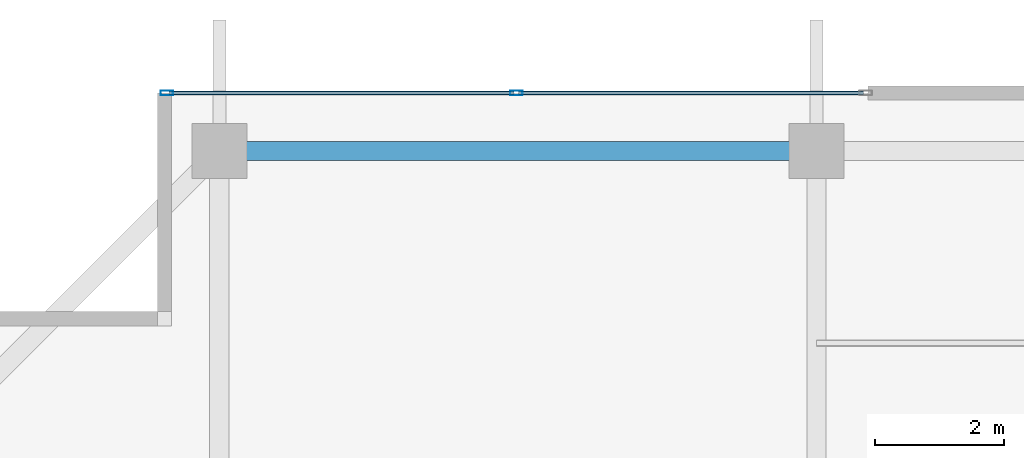
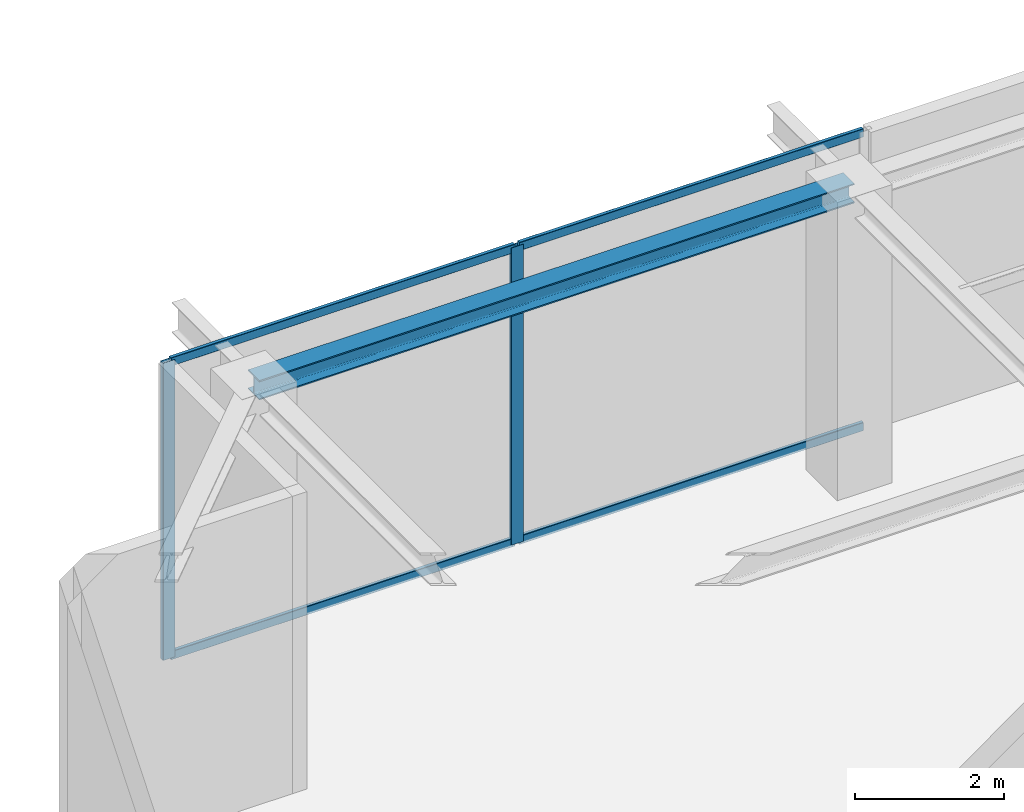
# One storey, part 19 of 27: 6 members, 1 beam, 1 element without a shape of its own.
"""IFC4 building model written with IfcOpenShell, lengths in metres."""

from ifc_helpers import new_model, si_unit, direction, frame, origin, origin_2d, place, context, subcontext, project, spatial, hollow_rectangle, i_section, extrude, source, transform, mapped, material, layer, layer_set, material_profile, profile_set, type_object, element, aggregate, save


model = new_model("IFC4")

# Units and contexts
model_context = context("Model", 3, precision=1e-05, world=origin(), true_north=direction((0.0, 1.0)))
body_context = subcontext(model_context, "Body", "Model", "MODEL_VIEW")
ifc_project = project(units=[si_unit("LENGTHUNIT", "METRE"), si_unit("AREAUNIT", "SQUARE_METRE"), si_unit("VOLUMEUNIT", "CUBIC_METRE"), si_unit("PLANEANGLEUNIT", "RADIAN"), si_unit("MASSUNIT", "GRAM", prefix="KILO")], contexts=[model_context])

# Site, building, storey
site_placement = place(None, origin())
site = spatial("IfcSite", under=ifc_project, at=site_placement, CompositionType="ELEMENT")
building_placement = place(site_placement, origin())
building = spatial("IfcBuilding", under=site, at=building_placement, Name="Serunith Strait Residences", CompositionType="ELEMENT")
storey_placement = place(building_placement, frame((0.0, 0.0, 365.75)))
storey = spatial("IfcBuildingStorey", under=building, at=storey_placement, Name="L89", CompositionType="ELEMENT", Elevation=365.75)

# Beam
ifc_material_1 = material(Name="Steel S355J2", Category="steel")
ifc_material_profile_1 = material_profile(ifc_material_1, i_section(OverallWidth=0.300048828125, OverallDepth=0.320068359375, WebThickness=0.011474609375, FlangeThickness=0.0205078125, FilletRadius=0.027099609375, at=origin_2d()), Name="HEB 320")
ifc_profile_set_1 = profile_set([ifc_material_profile_1], Name="Steel S355J2")
beam_type = type_object("IfcBeamType", Name="BM-HEB320", PredefinedType="BEAM", material=ifc_profile_set_1)
shared_shape_1 = source(origin(), body_context, "Body", "SweptSolid", [
    extrude(i_section(OverallWidth=0.300048828125, OverallDepth=0.320068359375, WebThickness=0.011474609375, FlangeThickness=0.0205078125, FilletRadius=0.027099609375, at=origin_2d()), origin(), (0.0, 0.0, 1.0), 9.25),
])
beam_placement = place(storey_placement, frame((27.89990234375, 45.5, 4.737060546875), z_axis=(-1.0, 0.0, 0.0), x_axis=(0.0, -1.0, 0.0)))
element("IfcBeam", 1, at=beam_placement, inside=storey, type_object=beam_type, Name="L89 Perimeter Ring Beam 11", PredefinedType="BEAM", context=body_context, shape_type="MappedRepresentation", body=[
    mapped(shared_shape_1, transform((0.0, 0.0, 0.0), scale=1.0)),
])

# Curtain wall, members
ifc_material_2 = material(Name="Pale-Silver Anodised Aluminium", Category="aluminium")
ifc_layer = layer(ifc_material_2, 0.199951171875, Name="Pale-Silver Anodised Aluminium")
ifc_layer_set = layer_set([ifc_layer], Name="Pale-Silver Anodised Aluminium")
curtain_wall_type = type_object("IfcCurtainWallType", Name="CW-SYS7", PredefinedType="NOTDEFINED", material=ifc_layer_set)
curtain_wall_placement = place(storey_placement, origin())
curtain_wall = element("IfcCurtainWall", 2, at=curtain_wall_placement, inside=storey, type_object=curtain_wall_type, Name="L89 N Unitised Fritted Curtain Wall", PredefinedType="NOTDEFINED")
ifc_material_profile_2 = material_profile(ifc_material_2, hollow_rectangle(XDim=0.072021484375, YDim=0.195068359375, WallThickness=0.00390625, InnerFilletRadius=0.006103515625, OuterFilletRadius=0.010009765625, at=origin_2d()), Name="ALU 195x72x4")
ifc_profile_set_2 = profile_set([ifc_material_profile_2], Name="Pale-Silver Anodised Aluminium")
member_type_1 = type_object("IfcMemberType", Name="CW-SYS7-MULL", PredefinedType="MULLION", material=ifc_profile_set_2)
shared_shape_2 = source(origin(), body_context, "Body", "SweptSolid", [
    extrude(hollow_rectangle(XDim=0.072021484375, YDim=0.195068359375, WallThickness=0.00390625, InnerFilletRadius=0.006103515625, OuterFilletRadius=0.010009765625, at=origin_2d()), origin(), (0.0, 0.0, 1.0), 4.885009765625),
])
member_1_placement = place(storey_placement, frame((23.25, 46.39990234375, 0.0), z_axis=(0.0, 0.0, 1.0), x_axis=(0.0, -1.0, 0.0)))
member_1 = element("IfcMember", 3, at=member_1_placement, type_object=member_type_1, Name="CW-7 mullion 2", PredefinedType="MULLION", context=body_context, shape_type="MappedRepresentation", body=[
    mapped(shared_shape_2, transform((0.0, 0.0, 0.0), scale=1.0)),
])
member_2_placement = place(storey_placement, frame((17.8359375, 46.39990234375, 0.0), z_axis=(0.0, 0.0, 1.0), x_axis=(0.0, -1.0, 0.0)))
member_2 = element("IfcMember", 4, at=member_2_placement, type_object=member_type_1, Name="CW-7 mullion 3", PredefinedType="MULLION", context=body_context, shape_type="MappedRepresentation", body=[
    mapped(shared_shape_2, transform((0.0, 0.0, 0.0), scale=1.0)),
])
ifc_material_profile_3 = material_profile(ifc_material_2, hollow_rectangle(XDim=0.06005859375, YDim=0.139892578125, WallThickness=0.00341796875, InnerFilletRadius=0.00537109375, OuterFilletRadius=0.0087890625, at=origin_2d()), Name="ALU 140x60x3.5")
ifc_profile_set_3 = profile_set([ifc_material_profile_3], Name="Pale-Silver Anodised Aluminium")
member_type_2 = type_object("IfcMemberType", Name="CW-SYS7-TRAN", PredefinedType="USERDEFINED", material=ifc_profile_set_3)
shared_shape_3 = source(origin(), body_context, "Body", "SweptSolid", [
    extrude(hollow_rectangle(XDim=0.06005859375, YDim=0.139892578125, WallThickness=0.00341796875, InnerFilletRadius=0.00537109375, OuterFilletRadius=0.0087890625, at=origin_2d()), origin(), (0.0, 0.0, 1.0), 5.342041015625),
])
member_3_placement = place(storey_placement, frame((28.6279296875, 46.39990234375, 0.030029296875), z_axis=(-1.0, 0.0, 0.0), x_axis=(0.0, -1.0, 0.0)))
member_3 = element("IfcMember", 5, at=member_3_placement, type_object=member_type_2, Name="CW-7 transom 1.1", ObjectType="TRANSOM", PredefinedType="USERDEFINED", context=body_context, shape_type="MappedRepresentation", body=[
    mapped(shared_shape_3, transform((0.0, 0.0, 0.0), scale=1.0)),
])
member_4_placement = place(storey_placement, frame((28.6279296875, 46.39990234375, 4.85498046875), z_axis=(-1.0, 0.0, 0.0), x_axis=(0.0, -1.0, 0.0)))
member_4 = element("IfcMember", 6, at=member_4_placement, type_object=member_type_2, Name="CW-7 transom 1.2", ObjectType="TRANSOM", PredefinedType="USERDEFINED", context=body_context, shape_type="MappedRepresentation", body=[
    mapped(shared_shape_3, transform((0.0, 0.0, 0.0), scale=1.0)),
])
member_5_placement = place(storey_placement, frame((23.214111328125, 46.39990234375, 0.030029296875), z_axis=(-1.0, 0.0, 0.0), x_axis=(0.0, -1.0, 0.0)))
member_5 = element("IfcMember", 7, at=member_5_placement, type_object=member_type_2, Name="CW-7 transom 2.1", ObjectType="TRANSOM", PredefinedType="USERDEFINED", context=body_context, shape_type="MappedRepresentation", body=[
    mapped(shared_shape_3, transform((0.0, 0.0, 0.0), scale=1.0)),
])
member_6_placement = place(storey_placement, frame((23.214111328125, 46.39990234375, 4.85498046875), z_axis=(-1.0, 0.0, 0.0), x_axis=(0.0, -1.0, 0.0)))
member_6 = element("IfcMember", 8, at=member_6_placement, type_object=member_type_2, Name="CW-7 transom 2.2", ObjectType="TRANSOM", PredefinedType="USERDEFINED", context=body_context, shape_type="MappedRepresentation", body=[
    mapped(shared_shape_3, transform((0.0, 0.0, 0.0), scale=1.0)),
])
aggregate(curtain_wall, [member_1, member_2, member_3, member_4, member_5, member_6])

save(model, "model.ifc")
